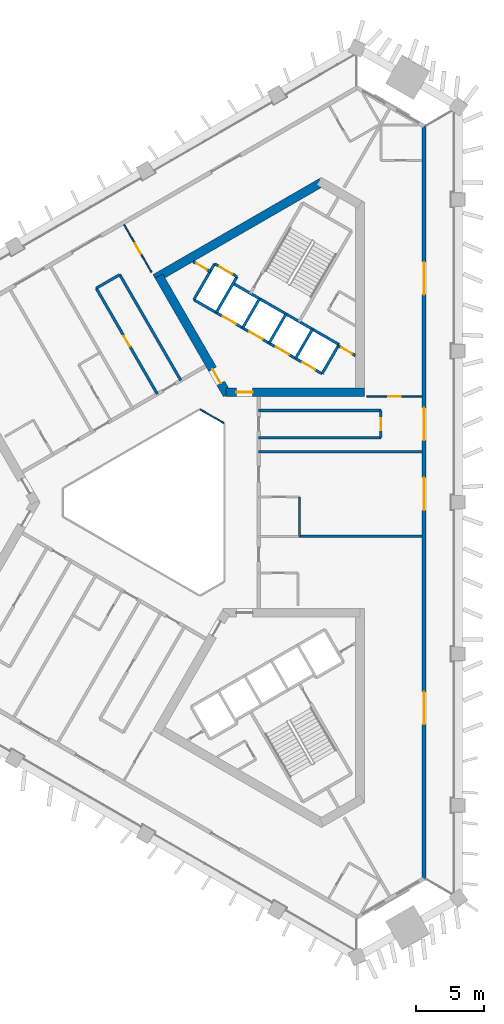
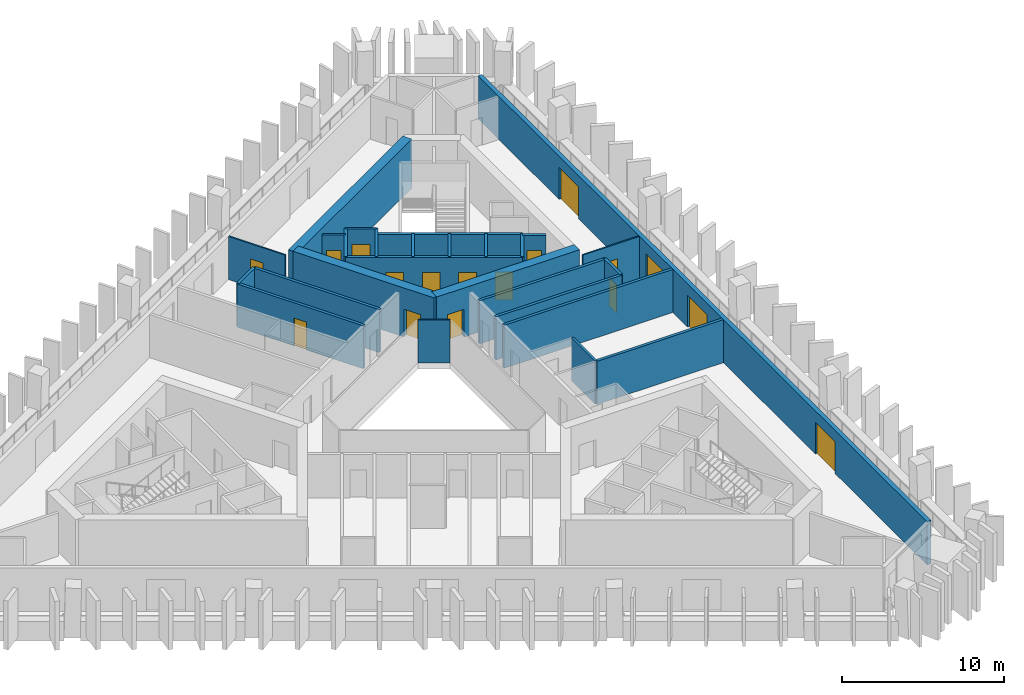
# One storey, part 5 of 10: 27 walls, 17 doors, 17 openings.
"""IFC4 building model written with IfcOpenShell, lengths in metres."""

from ifc_helpers import new_model, si_unit, direction, frame, frame_2d, origin, place, context, subcontext, project, spatial, rectangle, extrude, material, layer, layer_set, type_object, element, fill, save


model = new_model("IFC4")

# Units and contexts
model_context = context("Model", 3, precision=1e-05, world=origin(), true_north=direction((0.0, 1.0)))
body_context = subcontext(model_context, "Body", "Model", "MODEL_VIEW")
ifc_project = project(units=[si_unit("LENGTHUNIT", "METRE"), si_unit("AREAUNIT", "SQUARE_METRE"), si_unit("VOLUMEUNIT", "CUBIC_METRE"), si_unit("PLANEANGLEUNIT", "RADIAN"), si_unit("MASSUNIT", "GRAM", prefix="KILO")], contexts=[model_context])

# Site, building, storey
site_placement = place(None, origin())
site = spatial("IfcSite", under=ifc_project, at=site_placement, CompositionType="ELEMENT")
building_placement = place(site_placement, origin())
building = spatial("IfcBuilding", under=site, at=building_placement, Name="Jabali Bay Hotel Tower and Convention Centre", CompositionType="ELEMENT")
storey_placement = place(building_placement, frame((0.0, 0.0, 140.10009765625)))
storey = spatial("IfcBuildingStorey", under=building, at=storey_placement, Name="L34", CompositionType="ELEMENT", Elevation=140.10009765625)

# Wall
ifc_material_1 = material(Name="Fire-resistant glazing", Category="glass")
ifc_layer_1 = layer(ifc_material_1, 0.10009765625)
ifc_layer_set_1 = layer_set([ifc_layer_1], Name="Fire-resistant glazing")
wall_type_1 = type_object("IfcWallType", Name="Atrium glazed screen 100", PredefinedType="PARTITIONING", material=ifc_layer_set_1)
wall_1_placement = place(storey_placement, frame((79.530029296875, 85.84619140625, 0.0), z_axis=(0.0, 0.0, 1.0), x_axis=(-0.866041268327, 0.499972520799, 0.0)))
element("IfcWall", 1, at=wall_1_placement, inside=storey, type_object=wall_type_1, Name="Atrium screen 2 L34", PredefinedType="PARTITIONING", context=body_context, shape_type="SweptSolid", body=[
    extrude(rectangle(XDim=2.0, YDim=0.10009765625, at=frame_2d((1.0, 0.0))), origin(), (0.0, 0.0, 1.0), 3.25),
])

# Wall, opening, door
ifc_material_2 = material(Name="Concrete C40", Category="concrete")
ifc_layer_2 = layer(ifc_material_2, 0.199951171875)
ifc_layer_set_2 = layer_set([ifc_layer_2], Name="Concrete C40")
wall_type_2 = type_object("IfcWallType", Name="Core partition wall 200", PredefinedType="PARTITIONING", material=ifc_layer_set_2)
wall_2_placement = place(storey_placement, frame((89.22998046875, 90.813720703125, 0.0), z_axis=(0.0, 0.0, 1.0), x_axis=(-0.866022048785, 0.500005810984, 0.0)))
wall_2 = element("IfcWall", 2, at=wall_2_placement, inside=storey, type_object=wall_type_2, Name="Core wall 1.11 L34", PredefinedType="PARTITIONING", context=body_context, shape_type="SweptSolid", body=[
    extrude(rectangle(XDim=1.466796875, YDim=0.199951171875, at=frame_2d((0.7333984375, 0.0))), origin(), (0.0, 0.0, 1.0), 3.25),
])
opening_1_placement = place(wall_2_placement, frame((0.283447265625, 0.0, 0.0)))
opening_1 = element("IfcOpeningElement", 3, at=opening_1_placement, cuts=wall_2, Name="Opening D753", PredefinedType="OPENING", context=body_context, shape_type="SweptSolid", body=[
    extrude(rectangle(XDim=0.89990234375, YDim=2.10009765625, at=frame_2d((0.449951171875, 1.050048828125))), frame((0.0, 0.1103515625, 0.0), z_axis=(0.0, -1.0, 0.0), x_axis=(1.0, 0.0, 0.0)), (0.0, 0.0, 1.0), 0.220947265625),
])
ifc_material_3 = material(Name="Fire-rated steel door", Category="steel")
door_type_1 = type_object("IfcDoorType", Name="Vestibule fire door 900 x 2100", OperationType="NOTDEFINED", PredefinedType="NOTDEFINED", material=ifc_material_3)
door_1_placement = place(opening_1_placement, origin())
door_1 = element("IfcDoor", 4, at=door_1_placement, inside=storey, type_object=door_type_1, Name="Vestibule fire door D753", OperationType="SINGLE_SWING_LEFT", OverallHeight=2.10009765625, OverallWidth=0.89990234375, PredefinedType="NOTDEFINED", context=body_context, shape_type="SweptSolid", body=[
    extrude(rectangle(XDim=0.89990234375, YDim=2.10009765625, at=frame_2d((0.449951171875, 1.050048828125))), frame((0.0, 0.02490234375, 0.0), z_axis=(0.0, -1.0, 0.0), x_axis=(1.0, 0.0, 0.0)), (0.0, 0.0, 1.0), 0.050048828125),
])
fill(opening_1, door_1)

wall_3_placement = place(storey_placement, frame((78.5302734375, 97.014404296875, 0.0), z_axis=(0.0, 0.0, 1.0), x_axis=(-0.866045896294, 0.499964504253, 0.0)))
wall_3 = element("IfcWall", 5, at=wall_3_placement, inside=storey, type_object=wall_type_2, Name="Core wall 1.12 L34", PredefinedType="PARTITIONING", context=body_context, shape_type="SweptSolid", body=[
    extrude(rectangle(XDim=1.455078125, YDim=0.199951171875, at=frame_2d((0.7275390625, 0.0))), origin(), (0.0, 0.0, 1.0), 3.25),
])
opening_2_placement = place(wall_3_placement, frame((0.277587890625, 0.0, 0.0)))
opening_2 = element("IfcOpeningElement", 6, at=opening_2_placement, cuts=wall_3, Name="Opening D752", PredefinedType="OPENING", context=body_context, shape_type="SweptSolid", body=[
    extrude(rectangle(XDim=0.89990234375, YDim=2.10009765625, at=frame_2d((0.449951171875, 1.050048828125))), frame((0.0, 0.1103515625, 0.0), z_axis=(0.0, -1.0, 0.0), x_axis=(1.0, 0.0, 0.0)), (0.0, 0.0, 1.0), 0.220947265625),
])
door_2_placement = place(opening_2_placement, origin())
door_2 = element("IfcDoor", 7, at=door_2_placement, inside=storey, type_object=door_type_1, Name="Vestibule fire door D752", OperationType="SINGLE_SWING_LEFT", OverallHeight=2.10009765625, OverallWidth=0.89990234375, PredefinedType="NOTDEFINED", context=body_context, shape_type="SweptSolid", body=[
    extrude(rectangle(XDim=0.89990234375, YDim=2.10009765625, at=frame_2d((0.449951171875, 1.050048828125))), frame((0.0, 0.02490234375, 0.0), z_axis=(0.0, -1.0, 0.0), x_axis=(1.0, 0.0, 0.0)), (0.0, 0.0, 1.0), 0.050048828125),
])
fill(opening_2, door_2)

# Walls
ifc_layer_3 = layer(ifc_material_2, 0.199951171875)
ifc_layer_set_3 = layer_set([ifc_layer_3], Name="Concrete C40")
wall_type_3 = type_object("IfcWallType", Name="Core stair wall 200", PredefinedType="SOLIDWALL", material=ifc_layer_set_3)
for number, where, z_axis, x_axis, name in (
    (8, (86.769775390625, 89.48583984375, 0.0), (0.0, 0.0, 1.0), (0.499961042966, 0.86604789447, 0.0), "Core wall 1.0 L34"),
    (9, (84.8212890625, 90.61083984375, 0.0), (0.0, 0.0, 1.0), (0.499961042966, 0.86604789447, 0.0), "Core wall 1.2 L34"),
    (10, (82.872802734375, 91.73583984375, 0.0), (0.0, 0.0, 1.0), (0.499961042966, 0.86604789447, 0.0), "Core wall 1.4 L34"),
    (11, (80.924072265625, 92.86083984375, 0.0), (0.0, 0.0, 1.0), (0.499961042966, 0.86604789447, 0.0), "Core wall 1.6 L34"),
):
    element("IfcWall", number, at=place(storey_placement, frame(where, z_axis=z_axis, x_axis=x_axis)), inside=storey, type_object=wall_type_3, Name=name, PredefinedType="SOLIDWALL", context=body_context, shape_type="SweptSolid", body=[
        extrude(rectangle(XDim=2.480224609375, YDim=0.199951171875, at=frame_2d((1.240234375, 0.0))), origin(), (0.0, 0.0, 1.0), 3.25),
    ])
for number, where, z_axis, x_axis, name in (
    (12, (78.9755859375, 93.98583984375, 0.0), (0.0, 0.0, 1.0), (0.499944174705, 0.866057632134, 0.0), "Core wall 1.8 L34"),
    (13, (77.330078125, 94.93603515625, 0.0), (0.0, 0.0, 1.0), (0.500038867431, 0.8660029625, 0.0), "Core wall 1.9 L34"),
):
    element("IfcWall", number, at=place(storey_placement, frame(where, z_axis=z_axis, x_axis=x_axis)), inside=storey, type_object=wall_type_3, Name=name, PredefinedType="SOLIDWALL", context=body_context, shape_type="SweptSolid", body=[
        extrude(rectangle(XDim=3.050048828125, YDim=0.199951171875, at=frame_2d((1.52490234375, 0.0))), origin(), (0.0, 0.0, 1.0), 3.25),
    ])

# Wall, openings, doors
wall_4_placement = place(storey_placement, frame((86.769775390625, 89.48583984375, 0.0), z_axis=(0.0, 0.0, 1.0), x_axis=(-0.86601811187, 0.500012629753, 0.0)))
wall_4 = element("IfcWall", 14, at=wall_4_placement, inside=storey, type_object=wall_type_3, Name="Core wall 1.10 L34", PredefinedType="SOLIDWALL", context=body_context, shape_type="SweptSolid", body=[
    extrude(rectangle(XDim=10.900146484375, YDim=0.199951171875, at=frame_2d((5.4501953125, 0.0))), origin(), (0.0, 0.0, 1.0), 3.25),
])
opening_3_placement = place(wall_4_placement, frame((0.574951171875, 0.0, 0.0)))
opening_3 = element("IfcOpeningElement", 15, at=opening_3_placement, cuts=wall_4, Name="Opening LD6-L34", PredefinedType="OPENING", context=body_context, shape_type="SweptSolid", body=[
    extrude(rectangle(XDim=1.10009765625, YDim=2.10009765625, at=frame_2d((0.550048828125, 1.050048828125))), frame((0.0, 0.1103515625, 0.0), z_axis=(0.0, -1.0, 0.0), x_axis=(1.0, 0.0, 0.0)), (0.0, 0.0, 1.0), 0.220947265625),
])
opening_4_placement = place(wall_4_placement, frame((2.824951171875, 0.0, 0.0)))
opening_4 = element("IfcOpeningElement", 16, at=opening_4_placement, cuts=wall_4, Name="Opening LD7-L34", PredefinedType="OPENING", context=body_context, shape_type="SweptSolid", body=[
    extrude(rectangle(XDim=1.10009765625, YDim=2.10009765625, at=frame_2d((0.550048828125, 1.050048828125))), frame((0.0, 0.1103515625, 0.0), z_axis=(0.0, -1.0, 0.0), x_axis=(1.0, 0.0, 0.0)), (0.0, 0.0, 1.0), 0.220947265625),
])
opening_5_placement = place(wall_4_placement, frame((5.074951171875, 0.0, 0.0)))
opening_5 = element("IfcOpeningElement", 17, at=opening_5_placement, cuts=wall_4, Name="Opening LD8-L34", PredefinedType="OPENING", context=body_context, shape_type="SweptSolid", body=[
    extrude(rectangle(XDim=1.10009765625, YDim=2.10009765625, at=frame_2d((0.550048828125, 1.050048828125))), frame((0.0, 0.1103515625, 0.0), z_axis=(0.0, -1.0, 0.0), x_axis=(1.0, 0.0, 0.0)), (0.0, 0.0, 1.0), 0.220947265625),
])
opening_6_placement = place(wall_4_placement, frame((7.324951171875, 0.0, 0.0)))
opening_6 = element("IfcOpeningElement", 18, at=opening_6_placement, cuts=wall_4, Name="Opening LD9-L34", PredefinedType="OPENING", context=body_context, shape_type="SweptSolid", body=[
    extrude(rectangle(XDim=1.10009765625, YDim=2.10009765625, at=frame_2d((0.550048828125, 1.050048828125))), frame((0.0, 0.1103515625, 0.0), z_axis=(0.0, -1.0, 0.0), x_axis=(1.0, 0.0, 0.0)), (0.0, 0.0, 1.0), 0.220947265625),
])
ifc_material_4 = material(Name="Stainless steel landing door", Category="steel")
door_type_2 = type_object("IfcDoorType", Name="Landing door 1100 x 2100", OperationType="NOTDEFINED", PredefinedType="NOTDEFINED", material=ifc_material_4)
door_3_placement = place(opening_3_placement, origin())
door_3 = element("IfcDoor", 19, at=door_3_placement, inside=storey, type_object=door_type_2, Name="Landing doors LD6-L34", OperationType="SLIDING_TO_RIGHT", OverallHeight=2.10009765625, OverallWidth=1.10009765625, PredefinedType="NOTDEFINED", context=body_context, shape_type="SweptSolid", body=[
    extrude(rectangle(XDim=1.10009765625, YDim=2.10009765625, at=frame_2d((0.550048828125, 1.050048828125))), frame((0.0, 0.02490234375, 0.0), z_axis=(0.0, -1.0, 0.0), x_axis=(1.0, 0.0, 0.0)), (0.0, 0.0, 1.0), 0.050048828125),
])
fill(opening_3, door_3)
door_4_placement = place(opening_4_placement, origin())
door_4 = element("IfcDoor", 20, at=door_4_placement, inside=storey, type_object=door_type_2, Name="Landing doors LD7-L34", OperationType="SLIDING_TO_LEFT", OverallHeight=2.10009765625, OverallWidth=1.10009765625, PredefinedType="NOTDEFINED", context=body_context, shape_type="SweptSolid", body=[
    extrude(rectangle(XDim=1.10009765625, YDim=2.10009765625, at=frame_2d((0.550048828125, 1.050048828125))), frame((0.0, 0.02490234375, 0.0), z_axis=(0.0, -1.0, 0.0), x_axis=(1.0, 0.0, 0.0)), (0.0, 0.0, 1.0), 0.050048828125),
])
fill(opening_4, door_4)
door_5_placement = place(opening_5_placement, origin())
door_5 = element("IfcDoor", 21, at=door_5_placement, inside=storey, type_object=door_type_2, Name="Landing doors LD8-L34", OperationType="SLIDING_TO_RIGHT", OverallHeight=2.10009765625, OverallWidth=1.10009765625, PredefinedType="NOTDEFINED", context=body_context, shape_type="SweptSolid", body=[
    extrude(rectangle(XDim=1.10009765625, YDim=2.10009765625, at=frame_2d((0.550048828125, 1.050048828125))), frame((0.0, 0.02490234375, 0.0), z_axis=(0.0, -1.0, 0.0), x_axis=(1.0, 0.0, 0.0)), (0.0, 0.0, 1.0), 0.050048828125),
])
fill(opening_5, door_5)
door_6_placement = place(opening_6_placement, origin())
door_6 = element("IfcDoor", 22, at=door_6_placement, inside=storey, type_object=door_type_2, Name="Landing doors LD9-L34", OperationType="SLIDING_TO_LEFT", OverallHeight=2.10009765625, OverallWidth=1.10009765625, PredefinedType="NOTDEFINED", context=body_context, shape_type="SweptSolid", body=[
    extrude(rectangle(XDim=1.10009765625, YDim=2.10009765625, at=frame_2d((0.550048828125, 1.050048828125))), frame((0.0, 0.02490234375, 0.0), z_axis=(0.0, -1.0, 0.0), x_axis=(1.0, 0.0, 0.0)), (0.0, 0.0, 1.0), 0.050048828125),
])
fill(opening_6, door_6)

# Wall
wall_5_placement = place(storey_placement, frame((88.009765625, 91.6337890625, 0.0), z_axis=(0.0, 0.0, 1.0), x_axis=(-0.866024315419, 0.5000018851, 0.0)))
element("IfcWall", 23, at=wall_5_placement, inside=storey, type_object=wall_type_3, Name="Core wall 1.13 L34", PredefinedType="SOLIDWALL", context=body_context, shape_type="SweptSolid", body=[
    extrude(rectangle(XDim=9.0, YDim=0.199951171875, at=frame_2d((4.5, 0.0))), origin(), (0.0, 0.0, 1.0), 3.25),
])

# Wall, opening, door
wall_6_placement = place(storey_placement, frame((80.50048828125, 96.62744140625, 0.0), z_axis=(0.0, 0.0, 1.0), x_axis=(-0.86601224135, 0.500022797313, 0.0)))
wall_6 = element("IfcWall", 24, at=wall_6_placement, inside=storey, type_object=wall_type_3, Name="Core wall 1.14 L34", PredefinedType="SOLIDWALL", context=body_context, shape_type="SweptSolid", body=[
    extrude(rectangle(XDim=1.89990234375, YDim=0.199951171875, at=frame_2d((0.949951171875, 0.0))), origin(), (0.0, 0.0, 1.0), 3.25),
])
opening_7_placement = place(wall_6_placement, frame((0.39990234375, 0.0, 0.0)))
opening_7 = element("IfcOpeningElement", 25, at=opening_7_placement, cuts=wall_6, Name="Opening LD10-L34", PredefinedType="OPENING", context=body_context, shape_type="SweptSolid", body=[
    extrude(rectangle(XDim=1.10009765625, YDim=2.10009765625, at=frame_2d((0.550048828125, 1.050048828125))), frame((0.0, 0.1103515625, 0.0), z_axis=(0.0, -1.0, 0.0), x_axis=(1.0, 0.0, 0.0)), (0.0, 0.0, 1.0), 0.220947265625),
])
door_7_placement = place(opening_7_placement, origin())
door_7 = element("IfcDoor", 26, at=door_7_placement, inside=storey, type_object=door_type_2, Name="Landing doors LD10-L34", OperationType="SLIDING_TO_RIGHT", OverallHeight=2.10009765625, OverallWidth=1.10009765625, PredefinedType="NOTDEFINED", context=body_context, shape_type="SweptSolid", body=[
    extrude(rectangle(XDim=1.10009765625, YDim=2.10009765625, at=frame_2d((0.550048828125, 1.050048828125))), frame((0.0, 0.02490234375, 0.0), z_axis=(0.0, -1.0, 0.0), x_axis=(1.0, 0.0, 0.0)), (0.0, 0.0, 1.0), 0.050048828125),
])
fill(opening_7, door_7)

ifc_material_5 = material(Name="Concrete C60", Category="concrete")
ifc_layer_4 = layer(ifc_material_5, 0.64990234375)
ifc_layer_set_4 = layer_set([ifc_layer_4], Name="Concrete C60")
wall_type_4 = type_object("IfcWallType", Name="Core wall 650", PredefinedType="SHEAR", material=ifc_layer_set_4)
wall_7_placement = place(storey_placement, frame((79.687744140625, 88.119140625, 0.0), z_axis=(0.0, 0.0, 1.0), x_axis=(1.0, 0.0, 0.0)))
wall_7 = element("IfcWall", 27, at=wall_7_placement, inside=storey, type_object=wall_type_4, Name="Core wall 2.1 L34", PredefinedType="SHEAR", context=body_context, shape_type="SweptSolid", body=[
    extrude(rectangle(XDim=10.192138671875, YDim=0.64990234375, at=frame_2d((5.09619140625, 0.0))), origin(), (0.0, 0.0, 1.0), 3.699951171875),
])
opening_8_placement = place(wall_7_placement, frame((0.762451171875, 0.0, 0.0)))
opening_8 = element("IfcOpeningElement", 28, at=opening_8_placement, cuts=wall_7, Name="Opening D750", PredefinedType="OPENING", context=body_context, shape_type="SweptSolid", body=[
    extrude(rectangle(XDim=1.199951171875, YDim=2.10009765625, at=frame_2d((0.60009765625, 1.050048828125))), frame((0.0, 0.33544921875, 0.0), z_axis=(0.0, -1.0, 0.0), x_axis=(1.0, 0.0, 0.0)), (0.0, 0.0, 1.0), 0.6708984375),
])
door_type_3 = type_object("IfcDoorType", Name="Corridor end fire door 1200 x 2100", OperationType="NOTDEFINED", PredefinedType="NOTDEFINED", material=ifc_material_3)
door_8_placement = place(opening_8_placement, origin())
door_8 = element("IfcDoor", 29, at=door_8_placement, inside=storey, type_object=door_type_3, Name="Corridor end fire door D750", OperationType="SINGLE_SWING_RIGHT", OverallHeight=2.10009765625, OverallWidth=1.199951171875, PredefinedType="NOTDEFINED", context=body_context, shape_type="SweptSolid", body=[
    extrude(rectangle(XDim=1.199951171875, YDim=2.10009765625, at=frame_2d((0.60009765625, 1.050048828125))), frame((0.0, 0.02490234375, 0.0), z_axis=(0.0, -1.0, 0.0), x_axis=(1.0, 0.0, 0.0)), (0.0, 0.0, 1.0), 0.050048828125),
])
fill(opening_8, door_8)

# Wall
wall_8_placement = place(storey_placement, frame((86.72314453125, 103.574951171875, 0.0), z_axis=(0.0, 0.0, 1.0), x_axis=(-0.866031824457, -0.499988878904, 0.0)))
element("IfcWall", 30, at=wall_8_placement, inside=storey, type_object=wall_type_4, Name="Core wall 2.4 L34", PredefinedType="SHEAR", context=body_context, shape_type="SweptSolid", body=[
    extrude(rectangle(XDim=14.145751953125, YDim=0.64990234375, at=frame_2d((7.07275390625, 0.0))), origin(), (0.0, 0.0, 1.0), 3.699951171875),
])

# Wall, opening, door
wall_9_placement = place(storey_placement, frame((74.75390625, 96.66455078125, 0.0), z_axis=(0.0, 0.0, 1.0), x_axis=(0.500011799426, -0.866018591275, 0.0)))
wall_9 = element("IfcWall", 31, at=wall_9_placement, inside=storey, type_object=wall_type_4, Name="Core wall 2.5 L34", PredefinedType="SHEAR", context=body_context, shape_type="SweptSolid", body=[
    extrude(rectangle(XDim=10.054931640625, YDim=0.64990234375, at=frame_2d((5.02734375, 0.0))), origin(), (0.0, 0.0, 1.0), 3.699951171875),
])
opening_9_placement = place(wall_9_placement, frame((7.905029296875, 0.0, 0.0)))
opening_9 = element("IfcOpeningElement", 32, at=opening_9_placement, cuts=wall_9, Name="Opening D751", PredefinedType="OPENING", context=body_context, shape_type="SweptSolid", body=[
    extrude(rectangle(XDim=1.199951171875, YDim=2.10009765625, at=frame_2d((0.60009765625, 1.050048828125))), frame((0.0, 0.33544921875, 0.0), z_axis=(0.0, -1.0, 0.0), x_axis=(1.0, 0.0, 0.0)), (0.0, 0.0, 1.0), 0.6708984375),
])
door_9_placement = place(opening_9_placement, origin())
door_9 = element("IfcDoor", 33, at=door_9_placement, inside=storey, type_object=door_type_3, Name="Corridor end fire door D751", OperationType="SINGLE_SWING_LEFT", OverallHeight=2.10009765625, OverallWidth=1.199951171875, PredefinedType="NOTDEFINED", context=body_context, shape_type="SweptSolid", body=[
    extrude(rectangle(XDim=1.199951171875, YDim=2.10009765625, at=frame_2d((0.60009765625, 1.050048828125))), frame((0.0, 0.02490234375, 0.0), z_axis=(0.0, -1.0, 0.0), x_axis=(1.0, 0.0, 0.0)), (0.0, 0.0, 1.0), 0.050048828125),
])
fill(opening_9, door_9)

# Wall, openings, doors
ifc_layer_5 = layer(ifc_material_2, 0.300048828125)
ifc_layer_set_5 = layer_set([ifc_layer_5], Name="Concrete C40")
wall_type_5 = type_object("IfcWallType", Name="External wall 300", PredefinedType="SOLIDWALL", material=ifc_layer_set_5)
wall_10_placement = place(storey_placement, frame((94.277099609375, 107.71728515625, 0.0), z_axis=(0.0, 0.0, 1.0), x_axis=(0.0, -1.0, 0.0)))
wall_10 = element("IfcWall", 34, at=wall_10_placement, inside=storey, type_object=wall_type_5, Name="External wall east face L34", PredefinedType="SOLIDWALL", context=body_context, shape_type="SweptSolid", body=[
    extrude(rectangle(XDim=55.4345703125, YDim=0.300048828125, at=frame_2d((27.71728515625, 0.0))), origin(), (0.0, 0.0, 1.0), 3.25),
])
opening_10_placement = place(wall_10_placement, frame((25.893798828125, 0.0, 0.0)))
opening_10 = element("IfcOpeningElement", 35, at=opening_10_placement, cuts=wall_10, Name="Opening SD1", PredefinedType="OPENING", context=body_context, shape_type="SweptSolid", body=[
    extrude(rectangle(XDim=2.39990234375, YDim=2.39990234375, at=frame_2d((1.199951171875, 1.199951171875))), frame((0.0, 0.16064453125, 0.0), z_axis=(0.0, -1.0, 0.0), x_axis=(1.0, 0.0, 0.0)), (0.0, 0.0, 1.0), 0.321044921875),
])
opening_11_placement = place(wall_10_placement, frame((20.74951171875, 0.0, 0.0)))
opening_11 = element("IfcOpeningElement", 36, at=opening_11_placement, cuts=wall_10, Name="Opening SD1", PredefinedType="OPENING", context=body_context, shape_type="SweptSolid", body=[
    extrude(rectangle(XDim=2.39990234375, YDim=2.39990234375, at=frame_2d((1.199951171875, 1.199951171875))), frame((0.0, 0.16064453125, 0.0), z_axis=(0.0, -1.0, 0.0), x_axis=(1.0, 0.0, 0.0)), (0.0, 0.0, 1.0), 0.321044921875),
])
opening_12_placement = place(wall_10_placement, frame((10.013916015625, 0.0, 0.0)))
opening_12 = element("IfcOpeningElement", 37, at=opening_12_placement, cuts=wall_10, Name="Opening SD1", PredefinedType="OPENING", context=body_context, shape_type="SweptSolid", body=[
    extrude(rectangle(XDim=2.39990234375, YDim=2.39990234375, at=frame_2d((1.199951171875, 1.199951171875))), frame((0.0, 0.16064453125, 0.0), z_axis=(0.0, -1.0, 0.0), x_axis=(1.0, 0.0, 0.0)), (0.0, 0.0, 1.0), 0.321044921875),
])
opening_13_placement = place(wall_10_placement, frame((41.666259765625, 0.0, 0.0)))
opening_13 = element("IfcOpeningElement", 38, at=opening_13_placement, cuts=wall_10, Name="Opening SD1", PredefinedType="OPENING", context=body_context, shape_type="SweptSolid", body=[
    extrude(rectangle(XDim=2.39990234375, YDim=2.39990234375, at=frame_2d((1.199951171875, 1.199951171875))), frame((0.0, 0.16064453125, 0.0), z_axis=(0.0, -1.0, 0.0), x_axis=(1.0, 0.0, 0.0)), (0.0, 0.0, 1.0), 0.321044921875),
])
ifc_material_6 = material(Name="Glass", Category="glass")
door_type_4 = type_object("IfcDoorType", Name="Loggia sliding door 2400 x 2400", OperationType="NOTDEFINED", PredefinedType="NOTDEFINED", material=ifc_material_6)
door_10_placement = place(opening_10_placement, origin())
door_10 = element("IfcDoor", 39, at=door_10_placement, inside=storey, type_object=door_type_4, Name="Loggia sliding door 3402", OperationType="SLIDING_TO_LEFT", OverallHeight=2.39990234375, OverallWidth=2.39990234375, PredefinedType="NOTDEFINED", context=body_context, shape_type="SweptSolid", body=[
    extrude(rectangle(XDim=2.39990234375, YDim=2.39990234375, at=frame_2d((1.199951171875, 1.199951171875))), frame((0.0, 0.02490234375, 0.0), z_axis=(0.0, -1.0, 0.0), x_axis=(1.0, 0.0, 0.0)), (0.0, 0.0, 1.0), 0.050048828125),
])
fill(opening_10, door_10)
door_11_placement = place(opening_11_placement, origin())
door_11 = element("IfcDoor", 40, at=door_11_placement, inside=storey, type_object=door_type_4, Name="Loggia sliding door 3403", OperationType="SLIDING_TO_RIGHT", OverallHeight=2.39990234375, OverallWidth=2.39990234375, PredefinedType="NOTDEFINED", context=body_context, shape_type="SweptSolid", body=[
    extrude(rectangle(XDim=2.39990234375, YDim=2.39990234375, at=frame_2d((1.199951171875, 1.199951171875))), frame((0.0, 0.02490234375, 0.0), z_axis=(0.0, -1.0, 0.0), x_axis=(1.0, 0.0, 0.0)), (0.0, 0.0, 1.0), 0.050048828125),
])
fill(opening_11, door_11)
door_12_placement = place(opening_12_placement, origin())
door_12 = element("IfcDoor", 41, at=door_12_placement, inside=storey, type_object=door_type_4, Name="Loggia sliding door 3403", OperationType="SLIDING_TO_LEFT", OverallHeight=2.39990234375, OverallWidth=2.39990234375, PredefinedType="NOTDEFINED", context=body_context, shape_type="SweptSolid", body=[
    extrude(rectangle(XDim=2.39990234375, YDim=2.39990234375, at=frame_2d((1.199951171875, 1.199951171875))), frame((0.0, 0.02490234375, 0.0), z_axis=(0.0, -1.0, 0.0), x_axis=(1.0, 0.0, 0.0)), (0.0, 0.0, 1.0), 0.050048828125),
])
fill(opening_12, door_12)
door_13_placement = place(opening_13_placement, origin())
door_13 = element("IfcDoor", 42, at=door_13_placement, inside=storey, type_object=door_type_4, Name="Loggia sliding door 3401", OperationType="SLIDING_TO_RIGHT", OverallHeight=2.39990234375, OverallWidth=2.39990234375, PredefinedType="NOTDEFINED", context=body_context, shape_type="SweptSolid", body=[
    extrude(rectangle(XDim=2.39990234375, YDim=2.39990234375, at=frame_2d((1.199951171875, 1.199951171875))), frame((0.0, 0.02490234375, 0.0), z_axis=(0.0, -1.0, 0.0), x_axis=(1.0, 0.0, 0.0)), (0.0, 0.0, 1.0), 0.050048828125),
])
fill(opening_13, door_13)

# Wall, opening, door
ifc_material_7 = material(Name="Plasterboard on steel stud", Category="steel")
ifc_layer_6 = layer(ifc_material_7, 0.10009765625)
ifc_layer_set_6 = layer_set([ifc_layer_6], Name="Plasterboard on steel stud")
wall_type_6 = type_object("IfcWallType", Name="Partition 100 unit", PredefinedType="PARTITIONING", material=ifc_layer_set_6)
wall_11_placement = place(storey_placement, frame((94.128173828125, 87.794189453125, 0.0), z_axis=(0.0, 0.0, 1.0), x_axis=(-1.0, 0.0, 0.0)))
wall_11 = element("IfcWall", 43, at=wall_11_placement, inside=storey, type_object=wall_type_6, Name="Partition P02 L34 009", PredefinedType="PARTITIONING", context=body_context, shape_type="SweptSolid", body=[
    extrude(rectangle(XDim=4.049072265625, YDim=0.10009765625, at=frame_2d((2.0244140625, 0.0))), origin(), (0.0, 0.0, 1.0), 3.25),
])
opening_14_placement = place(wall_11_placement, frame((1.574951171875, 0.0, 0.0)))
opening_14 = element("IfcOpeningElement", 44, at=opening_14_placement, cuts=wall_11, Name="Opening 3406", PredefinedType="OPENING", context=body_context, shape_type="SweptSolid", body=[
    extrude(rectangle(XDim=0.89990234375, YDim=2.10009765625, at=frame_2d((0.449951171875, 1.050048828125))), frame((0.0, 0.060546875, 0.0), z_axis=(0.0, -1.0, 0.0), x_axis=(1.0, 0.0, 0.0)), (0.0, 0.0, 1.0), 0.12109375),
])
ifc_material_8 = material(Name="Timber", Category="wood")
door_type_5 = type_object("IfcDoorType", Name="Internal door 900 x 2100", OperationType="NOTDEFINED", PredefinedType="NOTDEFINED", material=ifc_material_8)
door_14_placement = place(opening_14_placement, origin())
door_14 = element("IfcDoor", 45, at=door_14_placement, inside=storey, type_object=door_type_5, Name="Door 3406", OperationType="SINGLE_SWING_RIGHT", OverallHeight=2.10009765625, OverallWidth=0.89990234375, PredefinedType="NOTDEFINED", context=body_context, shape_type="SweptSolid", body=[
    extrude(rectangle(XDim=0.89990234375, YDim=2.10009765625, at=frame_2d((0.449951171875, 1.050048828125))), frame((0.0, 0.02490234375, 0.0), z_axis=(0.0, -1.0, 0.0), x_axis=(1.0, 0.0, 0.0)), (0.0, 0.0, 1.0), 0.050048828125),
])
fill(opening_14, door_14)

wall_12_placement = place(storey_placement, frame((74.21044921875, 96.955810546875, 0.0), z_axis=(0.0, 0.0, 1.0), x_axis=(-0.499997320042, 0.866026951053, 0.0)))
wall_12 = element("IfcWall", 46, at=wall_12_placement, inside=storey, type_object=wall_type_6, Name="Partition P02 L34 017", PredefinedType="PARTITIONING", context=body_context, shape_type="SweptSolid", body=[
    extrude(rectangle(XDim=4.04931640625, YDim=0.10009765625, at=frame_2d((2.024658203125, 0.0))), origin(), (0.0, 0.0, 1.0), 3.25),
])
opening_15_placement = place(wall_12_placement, frame((1.574951171875, 0.0, 0.0)))
opening_15 = element("IfcOpeningElement", 47, at=opening_15_placement, cuts=wall_12, Name="Opening 3410", PredefinedType="OPENING", context=body_context, shape_type="SweptSolid", body=[
    extrude(rectangle(XDim=0.89990234375, YDim=2.10009765625, at=frame_2d((0.449951171875, 1.050048828125))), frame((0.0, 0.060546875, 0.0), z_axis=(0.0, -1.0, 0.0), x_axis=(1.0, 0.0, 0.0)), (0.0, 0.0, 1.0), 0.12109375),
])
door_15_placement = place(opening_15_placement, origin())
door_15 = element("IfcDoor", 48, at=door_15_placement, inside=storey, type_object=door_type_5, Name="Door 3410", OperationType="SINGLE_SWING_RIGHT", OverallHeight=2.10009765625, OverallWidth=0.89990234375, PredefinedType="NOTDEFINED", context=body_context, shape_type="SweptSolid", body=[
    extrude(rectangle(XDim=0.89990234375, YDim=2.10009765625, at=frame_2d((0.449951171875, 1.050048828125))), frame((0.0, 0.02490234375, 0.0), z_axis=(0.0, -1.0, 0.0), x_axis=(1.0, 0.0, 0.0)), (0.0, 0.0, 1.0), 0.050048828125),
])
fill(opening_15, door_15)

# Walls
ifc_layer_7 = layer(ifc_material_7, 0.14990234375)
ifc_layer_set_7 = layer_set([ifc_layer_7], Name="Plasterboard on steel stud")
wall_type_7 = type_object("IfcWallType", Name="Partition 150 wet", PredefinedType="PARTITIONING", material=ifc_layer_set_7)
wall_13_placement = place(storey_placement, frame((85.10009765625, 80.40576171875, 0.0), z_axis=(0.0, 0.0, 1.0), x_axis=(0.0, -1.0, 0.0)))
element("IfcWall", 49, at=wall_13_placement, inside=storey, type_object=wall_type_7, Name="Partition P03 L34 007", PredefinedType="PARTITIONING", context=body_context, shape_type="SweptSolid", body=[
    extrude(rectangle(XDim=2.89990234375, YDim=0.14990234375, at=frame_2d((1.449951171875, 0.0))), origin(), (0.0, 0.0, 1.0), 3.25),
])
ifc_layer_8 = layer(ifc_material_7, 0.199951171875)
ifc_layer_set_8 = layer_set([ifc_layer_8], Name="Plasterboard on steel stud")
wall_type_8 = type_object("IfcWallType", Name="Partition 200 party", PredefinedType="PARTITIONING", material=ifc_layer_set_8)
wall_14_placement = place(storey_placement, frame((94.128173828125, 77.505859375, 0.0), z_axis=(0.0, 0.0, 1.0), x_axis=(-1.0, 0.0, 0.0)))
element("IfcWall", 50, at=wall_14_placement, inside=storey, type_object=wall_type_8, Name="Partition P01 L34 003", PredefinedType="PARTITIONING", context=body_context, shape_type="SweptSolid", body=[
    extrude(rectangle(XDim=9.028076171875, YDim=0.199951171875, at=frame_2d((4.51416015625, 0.0))), origin(), (0.0, 0.0, 1.0), 3.25),
])
wall_15_placement = place(storey_placement, frame((94.128173828125, 83.7412109375, 0.0), z_axis=(0.0, 0.0, 1.0), x_axis=(-1.0, 0.0, 0.0)))
element("IfcWall", 51, at=wall_15_placement, inside=storey, type_object=wall_type_8, Name="Partition P01 L34 008", PredefinedType="PARTITIONING", context=body_context, shape_type="SweptSolid", body=[
    extrude(rectangle(XDim=12.028076171875, YDim=0.199951171875, at=frame_2d((6.01416015625, 0.0))), origin(), (0.0, 0.0, 1.0), 3.25),
])
wall_16_placement = place(storey_placement, frame((82.10009765625, 86.767822265625, 0.0), z_axis=(0.0, 0.0, 1.0), x_axis=(1.0, 0.0, 0.0)))
element("IfcWall", 52, at=wall_16_placement, inside=storey, type_object=wall_type_8, Name="Partition P01 L34 010", PredefinedType="PARTITIONING", context=body_context, shape_type="SweptSolid", body=[
    extrude(rectangle(XDim=9.0, YDim=0.199951171875, at=frame_2d((4.5, 0.0))), origin(), (0.0, 0.0, 1.0), 3.25),
])

# Wall, opening, door
wall_17_placement = place(storey_placement, frame((91.10009765625, 86.767822265625, 0.0), z_axis=(0.0, 0.0, 1.0), x_axis=(0.0, -1.0, 0.0)))
wall_17 = element("IfcWall", 53, at=wall_17_placement, inside=storey, type_object=wall_type_8, Name="Partition P01 L34 011", PredefinedType="PARTITIONING", context=body_context, shape_type="SweptSolid", body=[
    extrude(rectangle(XDim=2.0, YDim=0.199951171875, at=frame_2d((1.0, 0.0))), origin(), (0.0, 0.0, 1.0), 3.25),
])
opening_16_placement = place(wall_17_placement, frame((0.550048828125, 0.0, 0.0)))
opening_16 = element("IfcOpeningElement", 54, at=opening_16_placement, cuts=wall_17, Name="Opening 3408", PredefinedType="OPENING", context=body_context, shape_type="SweptSolid", body=[
    extrude(rectangle(XDim=0.89990234375, YDim=2.10009765625, at=frame_2d((0.449951171875, 1.050048828125))), frame((0.0, 0.1103515625, 0.0), z_axis=(0.0, -1.0, 0.0), x_axis=(1.0, 0.0, 0.0)), (0.0, 0.0, 1.0), 0.220947265625),
])
door_16_placement = place(opening_16_placement, origin())
door_16 = element("IfcDoor", 55, at=door_16_placement, inside=storey, type_object=door_type_5, Name="Door 3408", OperationType="SINGLE_SWING_RIGHT", OverallHeight=2.10009765625, OverallWidth=0.89990234375, PredefinedType="NOTDEFINED", context=body_context, shape_type="SweptSolid", body=[
    extrude(rectangle(XDim=0.89990234375, YDim=2.10009765625, at=frame_2d((0.449951171875, 1.050048828125))), frame((0.0, 0.02490234375, 0.0), z_axis=(0.0, -1.0, 0.0), x_axis=(1.0, 0.0, 0.0)), (0.0, 0.0, 1.0), 0.050048828125),
])
fill(opening_16, door_16)

# Wall
wall_18_placement = place(storey_placement, frame((91.10009765625, 84.767822265625, 0.0), z_axis=(0.0, 0.0, 1.0), x_axis=(-1.0, 0.0, 0.0)))
element("IfcWall", 56, at=wall_18_placement, inside=storey, type_object=wall_type_8, Name="Partition P01 L34 012", PredefinedType="PARTITIONING", context=body_context, shape_type="SweptSolid", body=[
    extrude(rectangle(XDim=9.0, YDim=0.199951171875, at=frame_2d((4.5, 0.0))), origin(), (0.0, 0.0, 1.0), 3.25),
])

# Wall, opening, door
wall_19_placement = place(storey_placement, frame((74.634033203125, 87.987060546875, 0.0), z_axis=(0.0, 0.0, 1.0), x_axis=(-0.5000018851, 0.866024315419, 0.0)))
wall_19 = element("IfcWall", 57, at=wall_19_placement, inside=storey, type_object=wall_type_8, Name="Partition P01 L34 018", PredefinedType="PARTITIONING", context=body_context, shape_type="SweptSolid", body=[
    extrude(rectangle(XDim=9.0, YDim=0.199951171875, at=frame_2d((4.5, 0.0))), origin(), (0.0, 0.0, 1.0), 3.25),
])
opening_17_placement = place(wall_19_placement, frame((4.050048828125, 0.0, 0.0)))
opening_17 = element("IfcOpeningElement", 58, at=opening_17_placement, cuts=wall_19, Name="Opening 3412", PredefinedType="OPENING", context=body_context, shape_type="SweptSolid", body=[
    extrude(rectangle(XDim=0.89990234375, YDim=2.10009765625, at=frame_2d((0.449951171875, 1.050048828125))), frame((0.0, 0.1103515625, 0.0), z_axis=(0.0, -1.0, 0.0), x_axis=(1.0, 0.0, 0.0)), (0.0, 0.0, 1.0), 0.220947265625),
])
door_17_placement = place(opening_17_placement, origin())
door_17 = element("IfcDoor", 59, at=door_17_placement, inside=storey, type_object=door_type_5, Name="Door 3412", OperationType="SINGLE_SWING_RIGHT", OverallHeight=2.10009765625, OverallWidth=0.89990234375, PredefinedType="NOTDEFINED", context=body_context, shape_type="SweptSolid", body=[
    extrude(rectangle(XDim=0.89990234375, YDim=2.10009765625, at=frame_2d((0.449951171875, 1.050048828125))), frame((0.0, 0.02490234375, 0.0), z_axis=(0.0, -1.0, 0.0), x_axis=(1.0, 0.0, 0.0)), (0.0, 0.0, 1.0), 0.050048828125),
])
fill(opening_17, door_17)

# Walls
wall_20_placement = place(storey_placement, frame((70.134033203125, 95.78125, 0.0), z_axis=(0.0, 0.0, 1.0), x_axis=(0.866010750942, 0.50002537861, 0.0)))
element("IfcWall", 60, at=wall_20_placement, inside=storey, type_object=wall_type_8, Name="Partition P01 L34 019", PredefinedType="PARTITIONING", context=body_context, shape_type="SweptSolid", body=[
    extrude(rectangle(XDim=2.0, YDim=0.199951171875, at=frame_2d((1.0, 0.0))), origin(), (0.0, 0.0, 1.0), 3.25),
])
wall_21_placement = place(storey_placement, frame((71.865966796875, 96.78125, 0.0), z_axis=(0.0, 0.0, 1.0), x_axis=(0.5000018851, -0.866024315419, 0.0)))
element("IfcWall", 61, at=wall_21_placement, inside=storey, type_object=wall_type_8, Name="Partition P01 L34 020", PredefinedType="PARTITIONING", context=body_context, shape_type="SweptSolid", body=[
    extrude(rectangle(XDim=9.0, YDim=0.199951171875, at=frame_2d((4.5, 0.0))), origin(), (0.0, 0.0, 1.0), 3.25),
])

save(model, "model.ifc")
